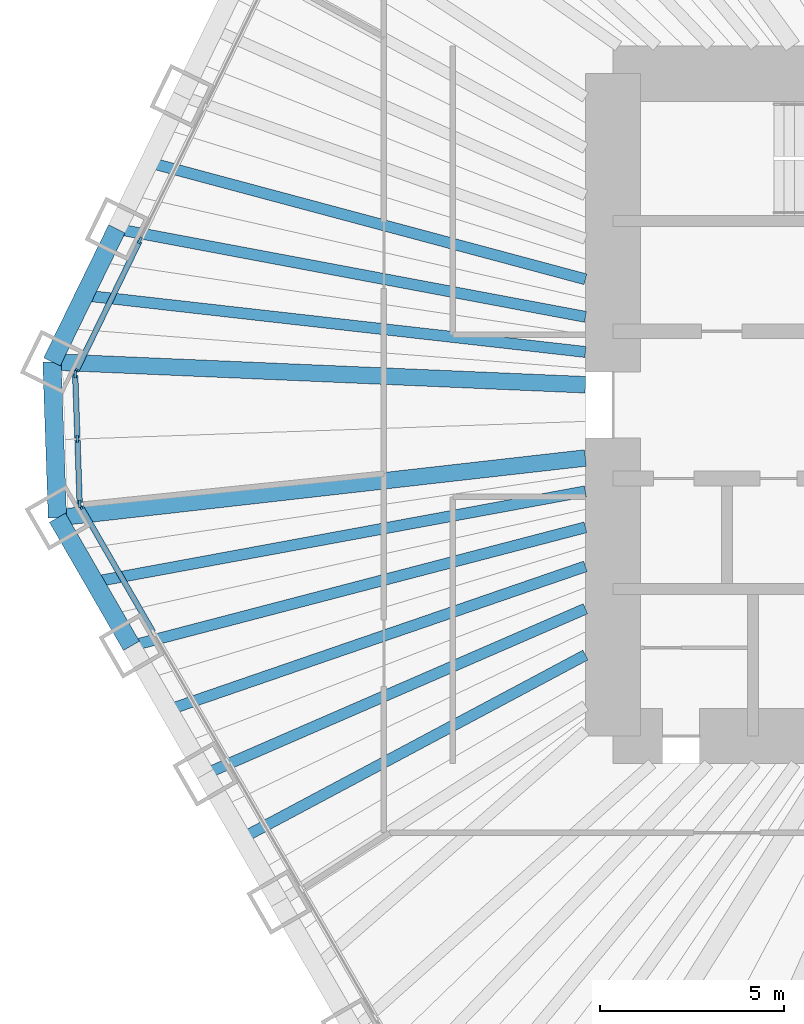
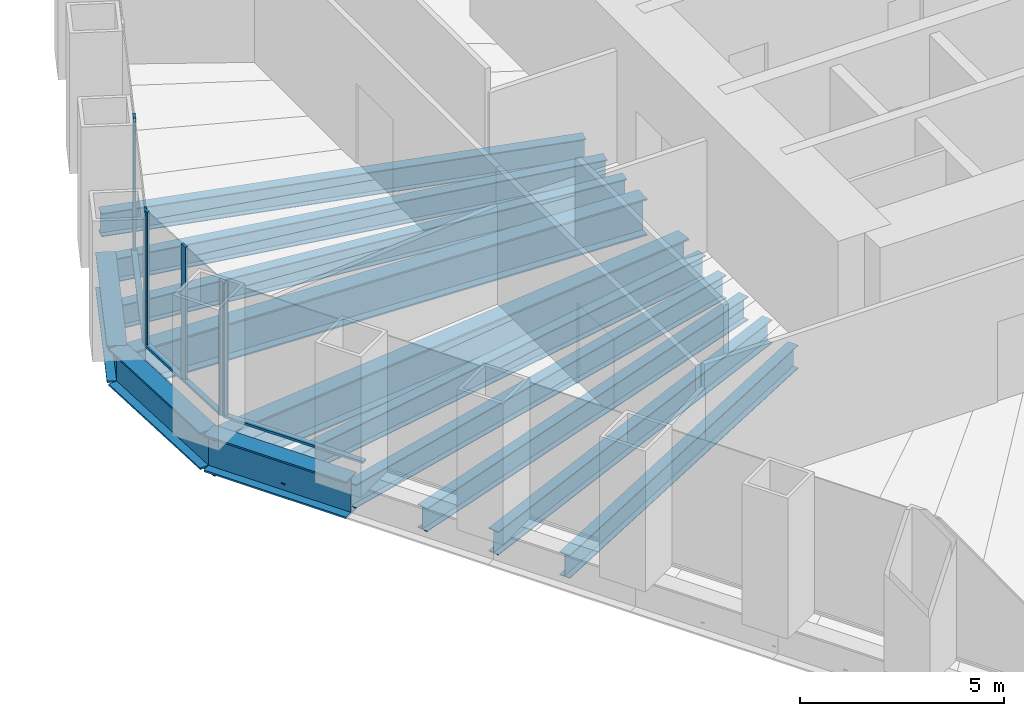
# One storey, part 3 of 13: 13 beams, 10 members, 3 elements without a shape of their own.
"""IFC4 building model written with IfcOpenShell, lengths in metres."""

from ifc_helpers import new_model, si_unit, direction, frame, origin, origin_2d, place, context, subcontext, project, spatial, rectangle, i_section, extrude, material, material_profile, profile_set, type_object, element, aggregate, save


model = new_model("IFC4")

# Units and contexts
model_context = context("Model", 3, precision=1e-05, world=origin(), true_north=direction((0.0, 1.0)))
body_context = subcontext(model_context, "Body", "Model", "MODEL_VIEW")
ifc_project = project(units=[si_unit("LENGTHUNIT", "METRE"), si_unit("AREAUNIT", "SQUARE_METRE"), si_unit("VOLUMEUNIT", "CUBIC_METRE"), si_unit("PLANEANGLEUNIT", "RADIAN"), si_unit("MASSUNIT", "GRAM", prefix="KILO")], contexts=[model_context])

# Site, building, storey
site_placement = place(None, origin())
site = spatial("IfcSite", under=ifc_project, at=site_placement, CompositionType="ELEMENT")
building_placement = place(site_placement, origin())
building = spatial("IfcBuilding", under=site, at=building_placement, Name="Qingtian Harvest Tower", CompositionType="ELEMENT")
storey_placement = place(building_placement, frame((0.0, 0.0, 145.0)))
storey = spatial("IfcBuildingStorey", under=building, at=storey_placement, Name="L30", CompositionType="ELEMENT", Elevation=145.0)

# Beams
ifc_material_1 = material(Name="Steel SM570MC", Category="steel")
ifc_material_profile_1 = material_profile(ifc_material_1, i_section(OverallWidth=0.449951171875, OverallDepth=1.10009765625, WebThickness=0.02197265625, FlangeThickness=0.044921875, at=origin_2d()), Name="H1100x450x22x45")
ifc_profile_set_1 = profile_set([ifc_material_profile_1], Name="Steel SM570MC")
beam_type_1 = type_object("IfcBeamType", Name="Corner floor beam FB8 H1100x450x22x45", PredefinedType="BEAM", material=ifc_profile_set_1)
beam_1_placement = place(storey_placement, frame((-27.096923828125, -3.066650390625, -0.719970703125), z_axis=(0.993656070393, 0.112461610213, 0.0), x_axis=(-0.112461610213, 0.993656070393, 0.0)))
element("IfcBeam", 1, at=beam_1_placement, inside=storey, type_object=beam_type_1, Name="Floor beam FB8 SW6", PredefinedType="BEAM", context=body_context, shape_type="SweptSolid", body=[
    extrude(i_section(OverallWidth=0.449951171875, OverallDepth=1.10009765625, WebThickness=0.02197265625, FlangeThickness=0.044921875, at=origin_2d()), origin(), (0.0, 0.0, 1.0), 14.4384765625),
])
beam_2_placement = place(storey_placement, frame((-27.244873046875, 1.1689453125, -0.719970703125), z_axis=(0.999081074678, -0.042860310542, 0.0), x_axis=(0.042860310542, 0.999081074678, 0.0)))
element("IfcBeam", 2, at=beam_2_placement, inside=storey, type_object=beam_type_1, Name="Floor beam FB8 NW0", PredefinedType="BEAM", context=body_context, shape_type="SweptSolid", body=[
    extrude(i_section(OverallWidth=0.449951171875, OverallDepth=1.10009765625, WebThickness=0.02197265625, FlangeThickness=0.044921875, at=origin_2d()), origin(), (0.0, 0.0, 1.0), 14.50830078125),
])
ifc_material_2 = material(Name="Steel SN490B", Category="steel")
ifc_material_profile_2 = material_profile(ifc_material_2, i_section(OverallWidth=0.300048828125, OverallDepth=0.699951171875, WebThickness=0.012939453125, FlangeThickness=0.02392578125, at=origin_2d()), Name="H700x300x13x24")
ifc_profile_set_2 = profile_set([ifc_material_profile_2], Name="Steel SN490B")
beam_type_2 = type_object("IfcBeamType", Name="Floor beam FB2 H700x300x13x24", PredefinedType="BEAM", material=ifc_profile_set_2)
beam_3_placement = place(storey_placement, frame((-23.077880859375, -10.02783203125, -0.52001953125), z_axis=(0.917154138631, 0.398532666154, 0.0), x_axis=(-0.398532666154, 0.917154138631, 0.0)))
element("IfcBeam", 3, at=beam_3_placement, inside=storey, type_object=beam_type_2, Name="Floor beam FB2 SW4", PredefinedType="BEAM", context=body_context, shape_type="SweptSolid", body=[
    extrude(i_section(OverallWidth=0.300048828125, OverallDepth=0.699951171875, WebThickness=0.012939453125, FlangeThickness=0.02392578125, at=origin_2d()), origin(), (0.0, 0.0, 1.0), 11.2607421875),
])
beam_4_placement = place(storey_placement, frame((-25.08740234375, -6.547119140625, -0.52001953125), z_axis=(0.967592867696, 0.252515429991, 0.0), x_axis=(-0.252515429991, 0.967592867696, 0.0)))
element("IfcBeam", 4, at=beam_4_placement, inside=storey, type_object=beam_type_2, Name="Floor beam FB2 SW5", PredefinedType="BEAM", context=body_context, shape_type="SweptSolid", body=[
    extrude(i_section(OverallWidth=0.300048828125, OverallDepth=0.699951171875, WebThickness=0.012939453125, FlangeThickness=0.02392578125, at=origin_2d()), origin(), (0.0, 0.0, 1.0), 12.750732421875),
])
beam_5_placement = place(storey_placement, frame((-25.483154296875, 4.78125, -0.52001953125), z_axis=(0.982851913913, -0.184396625015, 0.0), x_axis=(0.184396625015, 0.982851913913, 0.0)))
element("IfcBeam", 5, at=beam_5_placement, inside=storey, type_object=beam_type_2, Name="Floor beam FB2 NW1", PredefinedType="BEAM", context=body_context, shape_type="SweptSolid", body=[
    extrude(i_section(OverallWidth=0.300048828125, OverallDepth=0.699951171875, WebThickness=0.012939453125, FlangeThickness=0.02392578125, at=origin_2d()), origin(), (0.0, 0.0, 1.0), 12.955322265625),
])
ifc_material_3 = material(Name="Steel SN490B", Category="steel")
ifc_material_profile_3 = material_profile(ifc_material_3, i_section(OverallWidth=0.300048828125, OverallDepth=0.699951171875, WebThickness=0.012939453125, FlangeThickness=0.02392578125, at=origin_2d()), Name="H700x300x13x24")
ifc_profile_set_3 = profile_set([ifc_material_profile_3], Name="Steel SN490B")
beam_type_3 = type_object("IfcBeamType", Name="Floor joist J2 H700x300x13x24", PredefinedType="JOIST", material=ifc_profile_set_3)
beam_6_placement = place(storey_placement, frame((-22.0732421875, -11.76806640625, -0.52001953125), z_axis=(0.882429048443, 0.47044550637, 0.0), x_axis=(-0.47044550637, 0.882429048443, 0.0)))
element("IfcBeam", 6, at=beam_6_placement, inside=storey, type_object=beam_type_3, Name="Floor joist J2 SW3", PredefinedType="JOIST", context=body_context, shape_type="SweptSolid", body=[
    extrude(i_section(OverallWidth=0.300048828125, OverallDepth=0.699951171875, WebThickness=0.012939453125, FlangeThickness=0.02392578125, at=origin_2d()), origin(), (0.0, 0.0, 1.0), 10.5654296875),
])
beam_7_placement = place(storey_placement, frame((-24.082763671875, -8.28759765625, -0.52001953125), z_axis=(0.945577150072, 0.325397992099, 0.0), x_axis=(-0.325397992099, 0.945577150072, 0.0)))
element("IfcBeam", 7, at=beam_7_placement, inside=storey, type_object=beam_type_3, Name="Floor joist J2 SW4", PredefinedType="JOIST", context=body_context, shape_type="SweptSolid", body=[
    extrude(i_section(OverallWidth=0.300048828125, OverallDepth=0.699951171875, WebThickness=0.012939453125, FlangeThickness=0.02392578125, at=origin_2d()), origin(), (0.0, 0.0, 1.0), 11.985107421875),
])
beam_8_placement = place(storey_placement, frame((-26.09228515625, -4.806884765625, -0.52001953125), z_axis=(0.983450319804, 0.181178002192, 0.0), x_axis=(-0.181178002192, 0.983450319804, 0.0)))
element("IfcBeam", 8, at=beam_8_placement, inside=storey, type_object=beam_type_3, Name="Floor joist J2 SW5", PredefinedType="JOIST", context=body_context, shape_type="SweptSolid", body=[
    extrude(i_section(OverallWidth=0.300048828125, OverallDepth=0.699951171875, WebThickness=0.012939453125, FlangeThickness=0.02392578125, at=origin_2d()), origin(), (0.0, 0.0, 1.0), 13.56689453125),
])
beam_9_placement = place(storey_placement, frame((-26.364013671875, 2.97509765625, -0.52001953125), z_axis=(0.993692330348, -0.112140771387, 0.0), x_axis=(0.112140771387, 0.993692330348, 0.0)))
element("IfcBeam", 9, at=beam_9_placement, inside=storey, type_object=beam_type_3, Name="Floor joist J2 NW0", PredefinedType="JOIST", context=body_context, shape_type="SweptSolid", body=[
    extrude(i_section(OverallWidth=0.300048828125, OverallDepth=0.699951171875, WebThickness=0.012939453125, FlangeThickness=0.02392578125, at=origin_2d()), origin(), (0.0, 0.0, 1.0), 13.700439453125),
])
beam_10_placement = place(storey_placement, frame((-24.60205078125, 6.58740234375, -0.52001953125), z_axis=(0.965969893862, -0.258654526641, 0.0), x_axis=(0.258654526641, 0.965969893862, 0.0)))
element("IfcBeam", 10, at=beam_10_placement, inside=storey, type_object=beam_type_3, Name="Floor joist J2 NW1", PredefinedType="JOIST", context=body_context, shape_type="SweptSolid", body=[
    extrude(i_section(OverallWidth=0.300048828125, OverallDepth=0.699951171875, WebThickness=0.012939453125, FlangeThickness=0.02392578125, at=origin_2d()), origin(), (0.0, 0.0, 1.0), 12.26953125),
])

# Curtain wall, member
ifc_material_4 = material(Name="Bronze-anodised aluminium curtain wall", Category="aluminium")
curtain_wall_type = type_object("IfcCurtainWallType", Name="Curtain wall CW4 office", PredefinedType="USERDEFINED", material=ifc_material_4)
curtain_wall_1_placement = place(storey_placement, origin())
curtain_wall_1 = element("IfcCurtainWall", 11, at=curtain_wall_1_placement, inside=storey, type_object=curtain_wall_type, Name="Curtain wall CW4 L30 SW0-5", ObjectType="RECESSED CURTAIN WALL", PredefinedType="USERDEFINED")
ifc_material_5 = material(Name="Bronze-anodised aluminium mullion", Category="aluminium")
ifc_material_profile_4 = material_profile(ifc_material_5, rectangle(XDim=0.06494140625, YDim=0.199951171875, at=origin_2d()), Name="AL 65x200")
ifc_profile_set_4 = profile_set([ifc_material_profile_4], Name="Bronze-anodised aluminium mullion")
member_type_1 = type_object("IfcMemberType", Name="Mullion CWM 65x200", PredefinedType="MULLION", material=ifc_profile_set_4)
member_1_placement = place(storey_placement, frame((-26.474609375, -2.744873046875, 0.0), z_axis=(0.0, 0.0, 1.0), x_axis=(-0.866025403784, -0.5, 0.0)))
member_1 = element("IfcMember", 12, at=member_1_placement, type_object=member_type_1, Name="CW4 mullion 7", PredefinedType="MULLION", context=body_context, shape_type="SweptSolid", body=[
    extrude(rectangle(XDim=0.06494140625, YDim=0.199951171875, at=origin_2d()), origin(), (0.0, 0.0, 1.0), 4.030029296875),
])

# Curtain wall, members
curtain_wall_2_placement = place(storey_placement, origin())
curtain_wall_2 = element("IfcCurtainWall", 13, at=curtain_wall_2_placement, inside=storey, type_object=curtain_wall_type, Name="Curtain wall CW4 L30 SWC", ObjectType="RECESSED CURTAIN WALL", PredefinedType="USERDEFINED")
member_2_placement = place(storey_placement, frame((-26.491943359375, -2.68408203125, 0.0), z_axis=(0.0, 0.0, 1.0), x_axis=(-0.999390827019, -0.034899496703, 0.0)))
member_2 = element("IfcMember", 14, at=member_2_placement, type_object=member_type_1, Name="CW4 mullion 1", PredefinedType="MULLION", context=body_context, shape_type="SweptSolid", body=[
    extrude(rectangle(XDim=0.06494140625, YDim=0.199951171875, at=origin_2d()), origin(), (0.0, 0.0, 1.0), 4.030029296875),
])
member_3_placement = place(storey_placement, frame((-26.55322265625, -0.92724609375, 0.0), z_axis=(0.0, 0.0, 1.0), x_axis=(-0.999390827019, -0.034899496703, 0.0)))
member_3 = element("IfcMember", 15, at=member_3_placement, type_object=member_type_1, Name="CW4 mullion 2", PredefinedType="MULLION", context=body_context, shape_type="SweptSolid", body=[
    extrude(rectangle(XDim=0.06494140625, YDim=0.199951171875, at=origin_2d()), origin(), (0.0, 0.0, 1.0), 4.030029296875),
])
member_4_placement = place(storey_placement, frame((-26.614501953125, 0.82958984375, 0.0), z_axis=(0.0, 0.0, 1.0), x_axis=(-0.999390827019, -0.034899496703, 0.0)))
member_4 = element("IfcMember", 16, at=member_4_placement, type_object=member_type_1, Name="CW4 mullion 3", PredefinedType="MULLION", context=body_context, shape_type="SweptSolid", body=[
    extrude(rectangle(XDim=0.06494140625, YDim=0.199951171875, at=origin_2d()), origin(), (0.0, 0.0, 1.0), 4.030029296875),
])

curtain_wall_3_placement = place(storey_placement, origin())
curtain_wall_3 = element("IfcCurtainWall", 17, at=curtain_wall_3_placement, inside=storey, type_object=curtain_wall_type, Name="Curtain wall CW4 L30 NW0-5", ObjectType="RECESSED CURTAIN WALL", PredefinedType="USERDEFINED")
member_5_placement = place(storey_placement, frame((-26.6015625, 0.891357421875, 0.0), z_axis=(0.0, 0.0, 1.0), x_axis=(-0.898794046299, 0.438371146789, 0.0)))
member_5 = element("IfcMember", 18, at=member_5_placement, type_object=member_type_1, Name="CW4 mullion 1", PredefinedType="MULLION", context=body_context, shape_type="SweptSolid", body=[
    extrude(rectangle(XDim=0.06494140625, YDim=0.199951171875, at=origin_2d()), origin(), (0.0, 0.0, 1.0), 4.030029296875),
])
member_6_placement = place(storey_placement, frame((-24.85400390625, 4.474365234375, 0.0), z_axis=(0.0, 0.0, 1.0), x_axis=(-0.898794046299, 0.438371146789, 0.0)))
member_6 = element("IfcMember", 19, at=member_6_placement, type_object=member_type_1, Name="CW4 mullion 2", PredefinedType="MULLION", context=body_context, shape_type="SweptSolid", body=[
    extrude(rectangle(XDim=0.06494140625, YDim=0.199951171875, at=origin_2d()), origin(), (0.0, 0.0, 1.0), 4.030029296875),
])

# Beams
ifc_material_6 = material(Name="Steel SM570MC", Category="steel")
ifc_material_profile_5 = material_profile(ifc_material_6, i_section(OverallWidth=0.5, OverallDepth=1.10009765625, WebThickness=0.02490234375, FlangeThickness=0.050048828125, at=origin_2d()), Name="H1100x500x25x50")
ifc_profile_set_5 = profile_set([ifc_material_profile_5], Name="Steel SM570MC")
beam_type_4 = type_object("IfcBeamType", Name="Spandrel beam SB2 H1100x500x25x50", PredefinedType="SPANDREL", material=ifc_profile_set_5)
beam_11_placement = place(storey_placement, frame((-25.08740234375, -6.547119140625, -0.550048828125), z_axis=(-0.500013420409, 0.866017655369, 0.0), x_axis=(-0.866017655369, -0.500013420409, 0.0)))
element("IfcBeam", 20, at=beam_11_placement, inside=storey, type_object=beam_type_4, Name="Spandrel SB2 SW5", PredefinedType="SPANDREL", context=body_context, shape_type="SweptSolid", body=[
    extrude(i_section(OverallWidth=0.5, OverallDepth=1.10009765625, WebThickness=0.02490234375, FlangeThickness=0.050048828125, at=origin_2d()), origin(), (0.0, 0.0, 1.0), 4.01904296875),
])
beam_12_placement = place(storey_placement, frame((-27.096923828125, -3.066650390625, -0.550048828125), z_axis=(-0.034908677553, 0.999390506375, 0.0), x_axis=(-0.999390506375, -0.034908677553, 0.0)))
element("IfcBeam", 21, at=beam_12_placement, inside=storey, type_object=beam_type_4, Name="Spandrel SB2 SWC", PredefinedType="SPANDREL", context=body_context, shape_type="SweptSolid", body=[
    extrude(i_section(OverallWidth=0.5, OverallDepth=1.10009765625, WebThickness=0.02490234375, FlangeThickness=0.050048828125, at=origin_2d()), origin(), (0.0, 0.0, 1.0), 4.23828125),
])
beam_13_placement = place(storey_placement, frame((-27.244873046875, 1.1689453125, -0.550048828125), z_axis=(0.438347033158, 0.898805806902, 0.0), x_axis=(-0.898805806902, 0.438347033158, 0.0)))
element("IfcBeam", 22, at=beam_13_placement, inside=storey, type_object=beam_type_4, Name="Spandrel SB2 NW0", PredefinedType="SPANDREL", context=body_context, shape_type="SweptSolid", body=[
    extrude(i_section(OverallWidth=0.5, OverallDepth=1.10009765625, WebThickness=0.02490234375, FlangeThickness=0.050048828125, at=origin_2d()), origin(), (0.0, 0.0, 1.0), 4.01904296875),
])

# Member
ifc_material_7 = material(Name="Bronze-anodised aluminium transom", Category="aluminium")
ifc_material_profile_6 = material_profile(ifc_material_7, rectangle(XDim=0.14990234375, YDim=0.06494140625, at=origin_2d()), Name="AL 65x150")
ifc_profile_set_6 = profile_set([ifc_material_profile_6], Name="Bronze-anodised aluminium transom")
member_type_2 = type_object("IfcMemberType", Name="Transom CWT 65x150", PredefinedType="USERDEFINED", material=ifc_profile_set_6)
member_7_placement = place(storey_placement, frame((-24.49755859375, -6.169189453125, 0.032470703125), z_axis=(-0.499975738995, 0.866039410429, 0.0), x_axis=(-0.866039410429, -0.499975738995, 0.0)))
member_7 = element("IfcMember", 23, at=member_7_placement, type_object=member_type_2, Name="CW4 transom 6.1", ObjectType="TRANSOM", PredefinedType="USERDEFINED", context=body_context, shape_type="SweptSolid", body=[
    extrude(rectangle(XDim=0.14990234375, YDim=0.06494140625, at=origin_2d()), origin(), (0.0, 0.0, 1.0), 3.921630859375),
])

aggregate(curtain_wall_1, [member_1, member_7])

member_8_placement = place(storey_placement, frame((-26.4931640625, -2.651611328125, 0.032470703125), z_axis=(-0.034899362377, 0.99939083171, 0.0), x_axis=(-0.99939083171, -0.034899362377, 0.0)))
member_8 = element("IfcMember", 24, at=member_8_placement, type_object=member_type_2, Name="CW4 transom 1.1", ObjectType="TRANSOM", PredefinedType="USERDEFINED", context=body_context, shape_type="SweptSolid", body=[
    extrude(rectangle(XDim=0.14990234375, YDim=0.06494140625, at=origin_2d()), origin(), (0.0, 0.0, 1.0), 1.69287109375),
])

member_9_placement = place(storey_placement, frame((-26.554443359375, -0.894775390625, 0.032470703125), z_axis=(-0.034899362377, 0.99939083171, 0.0), x_axis=(-0.99939083171, -0.034899362377, 0.0)))
member_9 = element("IfcMember", 25, at=member_9_placement, type_object=member_type_2, Name="CW4 transom 2.1", ObjectType="TRANSOM", PredefinedType="USERDEFINED", context=body_context, shape_type="SweptSolid", body=[
    extrude(rectangle(XDim=0.14990234375, YDim=0.06494140625, at=origin_2d()), origin(), (0.0, 0.0, 1.0), 1.69287109375),
])

aggregate(curtain_wall_2, [member_2, member_3, member_4, member_8, member_9])

member_10_placement = place(storey_placement, frame((-26.587158203125, 0.92041015625, 0.032470703125), z_axis=(0.438326734225, 0.898815706396, 0.0), x_axis=(-0.898815706396, 0.438326734225, 0.0)))
member_10 = element("IfcMember", 26, at=member_10_placement, type_object=member_type_2, Name="CW4 transom 1.1", ObjectType="TRANSOM", PredefinedType="USERDEFINED", context=body_context, shape_type="SweptSolid", body=[
    extrude(rectangle(XDim=0.14990234375, YDim=0.06494140625, at=origin_2d()), origin(), (0.0, 0.0, 1.0), 3.921630859375),
])

aggregate(curtain_wall_3, [member_5, member_6, member_10])

save(model, "model.ifc")
